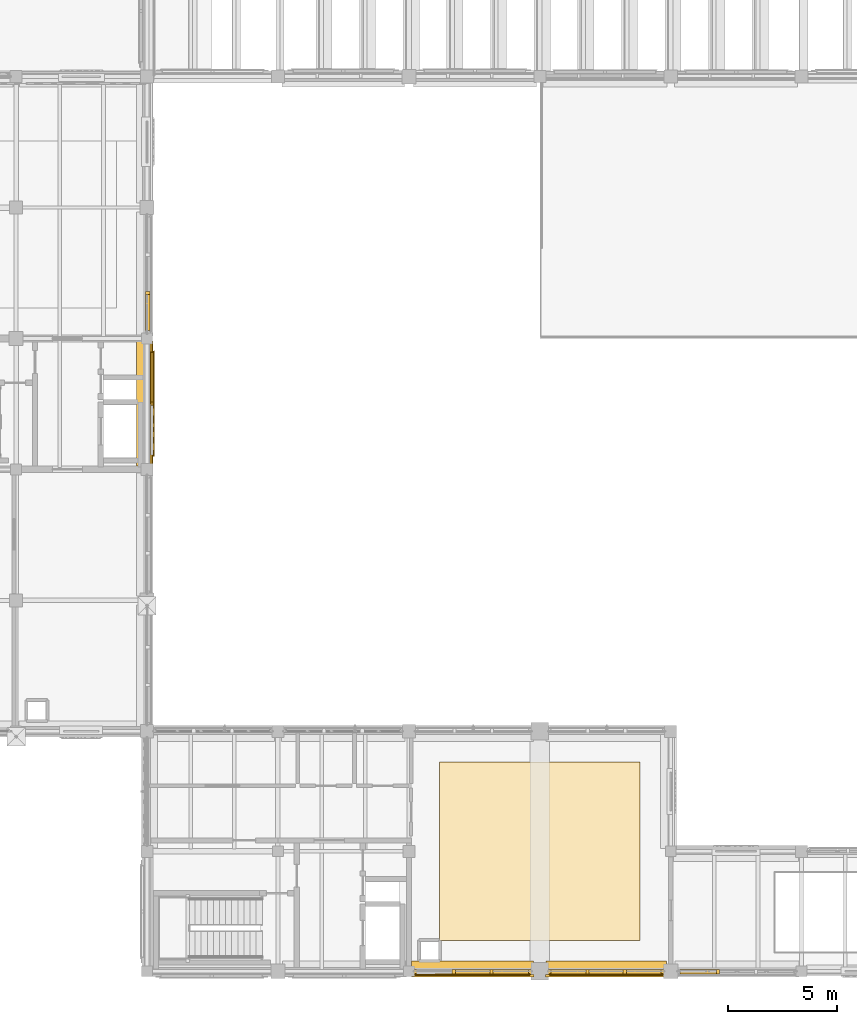
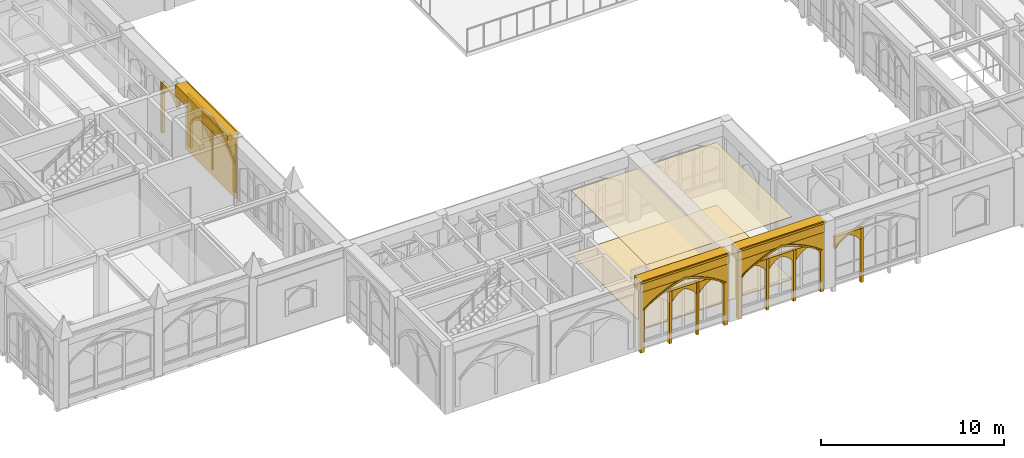
# One storey, part 92 of 127: 30 coverings.
"""IFC4 building model written with IfcOpenShell, lengths in metres."""

from ifc_helpers import new_model, si_unit, direction, frame, origin, origin_2d, place, context, subcontext, project, spatial, polyline, rectangle, outline, extrude, material, type_object, element, save


model = new_model("IFC4")

# Units and contexts
model_context = context("Model", 3, precision=1e-05, world=origin(), true_north=direction((0.0, 1.0)))
body_context = subcontext(model_context, "Body", "Model", "MODEL_VIEW")
ifc_project = project(units=[si_unit("LENGTHUNIT", "METRE"), si_unit("AREAUNIT", "SQUARE_METRE"), si_unit("VOLUMEUNIT", "CUBIC_METRE"), si_unit("PLANEANGLEUNIT", "RADIAN"), si_unit("MASSUNIT", "GRAM", prefix="KILO")], contexts=[model_context])

# Site, building, storey
site_placement = place(None, origin())
site = spatial("IfcSite", under=ifc_project, at=site_placement, CompositionType="ELEMENT")
building_placement = place(site_placement, origin())
building = spatial("IfcBuilding", under=site, at=building_placement, Name="Cumevento Cable Car Station", CompositionType="ELEMENT")
storey_placement = place(building_placement, frame((0.0, 0.0, 4.5)))
storey = spatial("IfcBuildingStorey", under=building, at=storey_placement, Name="L02", CompositionType="ELEMENT", Elevation=4.5)

# Coverings
ifc_material_1 = material(Name="Perforated Brazilian Ipe Timber Ceiling", Category="wood")
covering_type_1 = type_object("IfcCoveringType", Name="Acoustic Timber Ceiling CV-CE01", PredefinedType="CEILING", material=ifc_material_1)
covering_1_placement = place(storey_placement, frame((0.0, 0.0, 4.18798828125)))
element("IfcCovering", 1, at=covering_1_placement, inside=storey, type_object=covering_type_1, Name="Acoustic Timber Soffit Ceiling #3", PredefinedType="CEILING", context=body_context, shape_type="SweptSolid", body=[
    extrude(outline(polyline([(35.39990234375, 5.39990234375), (44.60009765625, 5.39990234375), (44.60009765625, 13.60009765625), (35.39990234375, 13.60009765625), (35.39990234375, 5.39990234375)])), origin(), (0.0, 0.0, 1.0), 0.028076171875),
])
ifc_material_2 = material(Name="Polished Carioca Granite Terrazzo Tile", Category="masonry")
covering_type_2 = type_object("IfcCoveringType", Name="Carioca Granite Flooring CV-FL01", PredefinedType="FLOORING", material=ifc_material_2)
covering_2_placement = place(storey_placement, origin())
element("IfcCovering", 2, at=covering_2_placement, inside=storey, type_object=covering_type_2, Name="Granite Terrazzo Floor Finish #3", PredefinedType="FLOORING", context=body_context, shape_type="SweptSolid", body=[
    extrude(outline(polyline([(35.39990234375, 5.39990234375), (44.60009765625, 5.39990234375), (44.60009765625, 13.60009765625), (35.39990234375, 13.60009765625), (35.39990234375, 5.39990234375)])), origin(), (0.0, 0.0, 1.0), 0.02197265625),
])
ifc_material_3 = material(Name="Gnaisse Facoidal Stone Ashlar 85 MPa", Category="masonry")
covering_type_3 = type_object("IfcCoveringType", Name="Gnaisse Ashlar Cladding CV-CL01", PredefinedType="CLADDING", material=ifc_material_3)
covering_3_placement = place(storey_placement, frame((36.925048828125, 4.14990234375, 3.7490234375), z_axis=(0.0, 0.0, 1.0), x_axis=(-1.0, 0.0, 0.0)))
element("IfcCovering", 3, at=covering_3_placement, inside=storey, type_object=covering_type_3, Name="Gothic Stone Spandrel Stringcourse sc:0292", PredefinedType="CLADDING", context=body_context, shape_type="SweptSolid", body=[
    extrude(rectangle(XDim=5.590087890625, YDim=0.659912109375, at=origin_2d()), origin(), (0.0, 0.0, 1.0), 0.7470703125),
])
covering_4_placement = place(storey_placement, frame((36.925048828125, 3.79248046875, 4.365966796875), z_axis=(0.0, 0.0, 1.0), x_axis=(-1.0, 0.0, 0.0)))
element("IfcCovering", 4, at=covering_4_placement, inside=storey, type_object=covering_type_3, Name="Gothic Cornice Dripstone Lip sc:0292", PredefinedType="CLADDING", context=body_context, shape_type="SweptSolid", body=[
    extrude(rectangle(XDim=5.6298828125, YDim=0.114990234375, at=origin_2d()), origin(), (0.0, 0.0, 1.0), 0.1298828125),
])
covering_5_placement = place(storey_placement, frame((43.03759765625, 4.14990234375, 3.7490234375), z_axis=(0.0, 0.0, 1.0), x_axis=(-1.0, 0.0, 0.0)))
element("IfcCovering", 5, at=covering_5_placement, inside=storey, type_object=covering_type_3, Name="Gothic Stone Spandrel Stringcourse sc:0293", PredefinedType="CLADDING", context=body_context, shape_type="SweptSolid", body=[
    extrude(rectangle(XDim=5.514892578125, YDim=0.659912109375, at=origin_2d()), origin(), (0.0, 0.0, 1.0), 0.7470703125),
])
covering_6_placement = place(storey_placement, frame((43.03759765625, 3.79248046875, 4.365966796875), z_axis=(0.0, 0.0, 1.0), x_axis=(-1.0, 0.0, 0.0)))
element("IfcCovering", 6, at=covering_6_placement, inside=storey, type_object=covering_type_3, Name="Gothic Cornice Dripstone Lip sc:0293", PredefinedType="CLADDING", context=body_context, shape_type="SweptSolid", body=[
    extrude(rectangle(XDim=5.554931640625, YDim=0.114990234375, at=origin_2d()), origin(), (0.0, 0.0, 1.0), 0.1298828125),
])
covering_7_placement = place(storey_placement, frame((21.85009765625, 30.012451171875, 3.718017578125), z_axis=(0.0, 0.0, 1.0), x_axis=(0.0, -1.0, 0.0)))
element("IfcCovering", 7, at=covering_7_placement, inside=storey, type_object=covering_type_3, Name="Gothic Stone Spandrel Stringcourse sc:0343", PredefinedType="CLADDING", context=body_context, shape_type="SweptSolid", body=[
    extrude(rectangle(XDim=5.715087890625, YDim=0.659912109375, at=origin_2d()), origin(), (0.0, 0.0, 1.0), 0.7470703125),
])
covering_8_placement = place(storey_placement, frame((22.20751953125, 30.012451171875, 4.3349609375), z_axis=(0.0, 0.0, 1.0), x_axis=(0.0, -1.0, 0.0)))
element("IfcCovering", 8, at=covering_8_placement, inside=storey, type_object=covering_type_3, Name="Gothic Cornice Dripstone Lip sc:0343", PredefinedType="CLADDING", context=body_context, shape_type="SweptSolid", body=[
    extrude(rectangle(XDim=5.7548828125, YDim=0.114990234375, at=origin_2d()), origin(), (0.0, 0.0, 1.0), 0.1298828125),
])
placement_1 = place(storey_placement, frame((39.60009765625, 4.0, -0.320068359375), z_axis=(0.0, 0.0, 1.0), x_axis=(-1.0, 0.0, 0.0)))
element("IfcCovering", 9, at=placement_1, inside=storey, type_object=covering_type_3, Name="Gothic Ogival Pointed-Arch Stone Spandrel cw_ogival:0020", PredefinedType="CLADDING", context=body_context, shape_type="SweptSolid", body=[
    extrude(outline(polyline([(-0.080078125, 0.0), (-0.080078125, 4.208984375), (5.429931640625, 4.208984375), (5.429931640625, 0.0), (5.18994140625, 0.0), (5.18994140625, 2.887451171875), (4.902099609375, 3.07958984375), (4.60498046875, 3.2578125), (4.2998046875, 3.42138671875), (3.98681640625, 3.570068359375), (3.667236328125, 3.703369140625), (3.341552734375, 3.8212890625), (3.010498046875, 3.923095703125), (2.675048828125, 4.009033203125), (2.339599609375, 3.923095703125), (2.008544921875, 3.8212890625), (1.682861328125, 3.703369140625), (1.36328125, 3.570068359375), (1.05029296875, 3.42138671875), (0.7451171875, 3.2578125), (0.447998046875, 3.07958984375), (0.159912109375, 2.887451171875), (0.159912109375, 0.0), (-0.080078125, 0.0)])), frame((0.0, 0.139892578125, 0.0), z_axis=(0.0, -1.0, 0.0), x_axis=(1.0, 0.0, 0.0)), (0.0, 0.0, 1.0), 0.219970703125),
])
covering_10_placement = place(storey_placement, frame((39.60009765625, 4.0, 2.5673828125), z_axis=(0.0, 0.0, 1.0), x_axis=(-1.0, 0.0, 0.0)))
element("IfcCovering", 10, at=covering_10_placement, inside=storey, type_object=covering_type_3, Name="Gothic Pointed Archivolt Hood Moulding cw_ogival:0020", PredefinedType="CLADDING", context=body_context, shape_type="SweptSolid", body=[
    extrude(outline(polyline([(0.159912109375, 0.0), (0.447998046875, 0.192138671875), (0.7451171875, 0.370361328125), (1.05029296875, 0.533935546875), (1.36328125, 0.6826171875), (1.682861328125, 0.81591796875), (2.008544921875, 0.933837890625), (2.339599609375, 1.03564453125), (2.675048828125, 1.12158203125), (3.010498046875, 1.03564453125), (3.341552734375, 0.933837890625), (3.667236328125, 0.81591796875), (3.98681640625, 0.6826171875), (4.2998046875, 0.533935546875), (4.60498046875, 0.370361328125), (4.902099609375, 0.192138671875), (5.18994140625, 0.0), (5.300048828125, 0.0), (5.00341796875, 0.215087890625), (4.696044921875, 0.41455078125), (4.37890625, 0.59814453125), (4.052490234375, 0.76513671875), (3.71826171875, 0.9150390625), (3.37646484375, 1.047607421875), (3.028564453125, 1.162353515625), (2.675048828125, 1.259033203125), (2.321533203125, 1.162353515625), (1.9736328125, 1.047607421875), (1.6318359375, 0.9150390625), (1.297607421875, 0.76513671875), (0.97119140625, 0.59814453125), (0.654052734375, 0.41455078125), (0.3466796875, 0.215087890625), (0.050048828125, 0.0), (0.159912109375, 0.0)])), frame((0.0, 0.181884765625, 0.0), z_axis=(0.0, -1.0, 0.0), x_axis=(1.0, 0.0, 0.0)), (0.0, 0.0, 1.0), 0.06689453125),
])
element("IfcCovering", 11, at=placement_1, inside=storey, type_object=covering_type_3, Name="Gothic Bifora Stone Colonnette cw_ogival:0020 #1", PredefinedType="CLADDING", context=body_context, shape_type="SweptSolid", body=[
    extrude(outline(polyline([(1.736572265625, -0.02001953125), (1.88671875, -0.02001953125), (1.88671875, 3.470703125), (1.736572265625, 3.470703125), (1.736572265625, -0.02001953125)])), frame((0.0, 0.1279296875, 0.0), z_axis=(0.0, -1.0, 0.0), x_axis=(1.0, 0.0, 0.0)), (0.0, 0.0, 1.0), 0.205078125),
])
element("IfcCovering", 12, at=placement_1, inside=storey, type_object=covering_type_3, Name="Gothic Bifora Stone Colonnette cw_ogival:0020 #2", PredefinedType="CLADDING", context=body_context, shape_type="SweptSolid", body=[
    extrude(outline(polyline([(3.46337890625, -0.02001953125), (3.61328125, -0.02001953125), (3.61328125, 3.470703125), (3.46337890625, 3.470703125), (3.46337890625, -0.02001953125)])), frame((0.0, 0.1279296875, 0.0), z_axis=(0.0, -1.0, 0.0), x_axis=(1.0, 0.0, 0.0)), (0.0, 0.0, 1.0), 0.205078125),
])
for number, where, z_axis, x_axis, name in (
    (13, (39.469970703125, 4.0, 2.387451171875), (0.0, 0.0, 1.0), (-1.0, 0.0, 0.0), "Gothic Ogival Pointed-Arch Stone Spandrel cw_ogival:0020:sub:0"),
    (14, (37.743408203125, 4.0, 2.387451171875), (0.0, 0.0, 1.0), (-1.0, 0.0, 0.0), "Gothic Ogival Pointed-Arch Stone Spandrel cw_ogival:0020:sub:1"),
):
    element("IfcCovering", number, at=place(storey_placement, frame(where, z_axis=z_axis, x_axis=x_axis)), inside=storey, type_object=covering_type_3, Name=name, PredefinedType="CLADDING", context=body_context, shape_type="SweptSolid", body=[
        extrude(outline(polyline([(-0.02001953125, 0.0), (-0.02001953125, 0.76318359375), (1.65673828125, 0.76318359375), (1.65673828125, 0.0), (1.5966796875, 0.0), (1.498046875, 0.1396484375), (1.385009765625, 0.26806640625), (1.259033203125, 0.384033203125), (1.12158203125, 0.48583984375), (0.97412109375, 0.572509765625), (0.818359375, 0.643310546875), (0.66259765625, 0.572509765625), (0.51513671875, 0.48583984375), (0.377685546875, 0.384033203125), (0.251708984375, 0.26806640625), (0.138671875, 0.1396484375), (0.0400390625, 0.0), (-0.02001953125, 0.0)])), frame((0.0, 0.1240234375, 0.0), z_axis=(0.0, -1.0, 0.0), x_axis=(1.0, 0.0, 0.0)), (0.0, 0.0, 1.0), 0.199951171875),
    ])
placement_2 = place(storey_placement, frame((45.675048828125, 4.0, -0.219970703125), z_axis=(0.0, 0.0, 1.0), x_axis=(-1.0, 0.0, 0.0)))
element("IfcCovering", 15, at=placement_2, inside=storey, type_object=covering_type_3, Name="Gothic Ogival Pointed-Arch Stone Spandrel cw_ogival:0022", PredefinedType="CLADDING", context=body_context, shape_type="SweptSolid", body=[
    extrude(outline(polyline([(-0.080078125, 0.0), (-0.080078125, 4.10888671875), (5.35498046875, 4.10888671875), (5.35498046875, 0.0), (5.114990234375, 0.0), (5.114990234375, 2.823486328125), (4.830322265625, 3.009765625), (4.537109375, 3.181884765625), (4.236083984375, 3.340087890625), (3.927978515625, 3.484375), (3.61328125, 3.61328125), (3.292724609375, 3.727294921875), (2.96728515625, 3.82568359375), (2.637451171875, 3.9091796875), (2.3076171875, 3.82568359375), (1.982177734375, 3.727294921875), (1.66162109375, 3.61328125), (1.346923828125, 3.484375), (1.038818359375, 3.340087890625), (0.73779296875, 3.181884765625), (0.444580078125, 3.009765625), (0.159912109375, 2.823486328125), (0.159912109375, 0.0), (-0.080078125, 0.0)])), frame((0.0, 0.139892578125, 0.0), z_axis=(0.0, -1.0, 0.0), x_axis=(1.0, 0.0, 0.0)), (0.0, 0.0, 1.0), 0.219970703125),
])
covering_14_placement = place(storey_placement, frame((45.675048828125, 4.0, 2.603515625), z_axis=(0.0, 0.0, 1.0), x_axis=(-1.0, 0.0, 0.0)))
element("IfcCovering", 16, at=covering_14_placement, inside=storey, type_object=covering_type_3, Name="Gothic Pointed Archivolt Hood Moulding cw_ogival:0022", PredefinedType="CLADDING", context=body_context, shape_type="SweptSolid", body=[
    extrude(outline(polyline([(0.159912109375, 0.0), (0.444580078125, 0.186279296875), (0.73779296875, 0.358642578125), (1.038818359375, 0.516845703125), (1.346923828125, 0.660888671875), (1.66162109375, 0.789794921875), (1.982177734375, 0.90380859375), (2.3076171875, 1.00244140625), (2.637451171875, 1.085693359375), (2.96728515625, 1.00244140625), (3.292724609375, 0.90380859375), (3.61328125, 0.789794921875), (3.927978515625, 0.660888671875), (4.236083984375, 0.516845703125), (4.537109375, 0.358642578125), (4.830322265625, 0.186279296875), (5.114990234375, 0.0), (5.22509765625, 0.0), (4.931640625, 0.208984375), (4.628173828125, 0.403076171875), (4.315185546875, 0.581298828125), (3.993408203125, 0.743408203125), (3.6640625, 0.888916015625), (3.32763671875, 1.017822265625), (2.985107421875, 1.129150390625), (2.637451171875, 1.22314453125), (2.289794921875, 1.129150390625), (1.947265625, 1.017822265625), (1.61083984375, 0.888916015625), (1.281494140625, 0.743408203125), (0.959716796875, 0.581298828125), (0.646728515625, 0.403076171875), (0.34326171875, 0.208984375), (0.050048828125, 0.0), (0.159912109375, 0.0)])), frame((0.0, 0.181884765625, 0.0), z_axis=(0.0, -1.0, 0.0), x_axis=(1.0, 0.0, 0.0)), (0.0, 0.0, 1.0), 0.06689453125),
])
element("IfcCovering", 17, at=placement_2, inside=storey, type_object=covering_type_3, Name="Gothic Bifora Stone Colonnette cw_ogival:0022 #1", PredefinedType="CLADDING", context=body_context, shape_type="SweptSolid", body=[
    extrude(outline(polyline([(1.711669921875, -0.02001953125), (1.861572265625, -0.02001953125), (1.861572265625, 3.387939453125), (1.711669921875, 3.387939453125), (1.711669921875, -0.02001953125)])), frame((0.0, 0.1279296875, 0.0), z_axis=(0.0, -1.0, 0.0), x_axis=(1.0, 0.0, 0.0)), (0.0, 0.0, 1.0), 0.205078125),
])
element("IfcCovering", 18, at=placement_2, inside=storey, type_object=covering_type_3, Name="Gothic Bifora Stone Colonnette cw_ogival:0022 #2", PredefinedType="CLADDING", context=body_context, shape_type="SweptSolid", body=[
    extrude(outline(polyline([(3.413330078125, -0.02001953125), (3.563232421875, -0.02001953125), (3.563232421875, 3.387939453125), (3.413330078125, 3.387939453125), (3.413330078125, -0.02001953125)])), frame((0.0, 0.1279296875, 0.0), z_axis=(0.0, -1.0, 0.0), x_axis=(1.0, 0.0, 0.0)), (0.0, 0.0, 1.0), 0.205078125),
])
for number, where, z_axis, x_axis, name in (
    (19, (45.544921875, 4.0, 2.42333984375), (0.0, 0.0, 1.0), (-1.0, 0.0, 0.0), "Gothic Ogival Pointed-Arch Stone Spandrel cw_ogival:0022:sub:0"),
    (20, (43.84326171875, 4.0, 2.42333984375), (0.0, 0.0, 1.0), (-1.0, 0.0, 0.0), "Gothic Ogival Pointed-Arch Stone Spandrel cw_ogival:0022:sub:1"),
    (21, (42.1416015625, 4.0, 2.42333984375), (0.0, 0.0, 1.0), (-1.0, 0.0, 0.0), "Gothic Ogival Pointed-Arch Stone Spandrel cw_ogival:0022:sub:2"),
):
    element("IfcCovering", number, at=place(storey_placement, frame(where, z_axis=z_axis, x_axis=x_axis)), inside=storey, type_object=covering_type_3, Name=name, PredefinedType="CLADDING", context=body_context, shape_type="SweptSolid", body=[
        extrude(outline(polyline([(-0.02001953125, 0.0), (-0.02001953125, 0.744384765625), (1.631591796875, 0.744384765625), (1.631591796875, 0.0), (1.57177734375, 0.0), (1.4736328125, 0.1357421875), (1.362060546875, 0.260498046875), (1.23828125, 0.373046875), (1.10302734375, 0.471923828125), (0.95849609375, 0.555908203125), (0.805908203125, 0.62451171875), (0.653076171875, 0.555908203125), (0.508544921875, 0.471923828125), (0.373291015625, 0.373046875), (0.24951171875, 0.260498046875), (0.137939453125, 0.1357421875), (0.0400390625, 0.0), (-0.02001953125, 0.0)])), frame((0.0, 0.1240234375, 0.0), z_axis=(0.0, -1.0, 0.0), x_axis=(1.0, 0.0, 0.0)), (0.0, 0.0, 1.0), 0.199951171875),
    ])
covering_17_placement = place(storey_placement, frame((51.75, 4.0, -0.469970703125), z_axis=(0.0, 0.0, 1.0), x_axis=(-1.0, 0.0, 0.0)))
element("IfcCovering", 22, at=covering_17_placement, inside=storey, type_object=covering_type_3, Name="Gothic Bifora Stone Colonnette cw_ogival:0025 #2", PredefinedType="CLADDING", context=body_context, shape_type="SweptSolid", body=[
    extrude(outline(polyline([(3.513427734375, -0.02001953125), (3.663330078125, -0.02001953125), (3.663330078125, 3.5947265625), (3.513427734375, 3.5947265625), (3.513427734375, -0.02001953125)])), frame((0.0, 0.1279296875, 0.0), z_axis=(0.0, -1.0, 0.0), x_axis=(1.0, 0.0, 0.0)), (0.0, 0.0, 1.0), 0.205078125),
])
covering_18_placement = place(storey_placement, frame((48.11669921875, 4.0, 2.33349609375), z_axis=(0.0, 0.0, 1.0), x_axis=(-1.0, 0.0, 0.0)))
element("IfcCovering", 23, at=covering_18_placement, inside=storey, type_object=covering_type_3, Name="Gothic Ogival Pointed-Arch Stone Spandrel cw_ogival:0025:sub:2", PredefinedType="CLADDING", context=body_context, shape_type="SweptSolid", body=[
    extrude(outline(polyline([(-0.02001953125, 0.0), (-0.02001953125, 0.791259765625), (1.681640625, 0.791259765625), (1.681640625, 0.0), (1.62158203125, 0.0), (1.522705078125, 0.1455078125), (1.40869140625, 0.279296875), (1.281005859375, 0.400146484375), (1.14111328125, 0.506591796875), (0.990234375, 0.597412109375), (0.830810546875, 0.67138671875), (0.67138671875, 0.597412109375), (0.5205078125, 0.506591796875), (0.380615234375, 0.400146484375), (0.2529296875, 0.279296875), (0.138916015625, 0.1455078125), (0.0400390625, 0.0), (-0.02001953125, 0.0)])), frame((0.0, 0.1240234375, 0.0), z_axis=(0.0, -1.0, 0.0), x_axis=(1.0, 0.0, 0.0)), (0.0, 0.0, 1.0), 0.199951171875),
])
covering_19_placement = place(storey_placement, frame((22.0, 38.675048828125, -0.219970703125), z_axis=(0.0, 0.0, 1.0), x_axis=(0.0, -1.0, 0.0)))
element("IfcCovering", 24, at=covering_19_placement, inside=storey, type_object=covering_type_3, Name="Gothic Bifora Stone Colonnette cw_ogival:0054 #2", PredefinedType="CLADDING", context=body_context, shape_type="SweptSolid", body=[
    extrude(outline(polyline([(3.513427734375, -0.02001953125), (3.663330078125, -0.02001953125), (3.663330078125, 3.3623046875), (3.513427734375, 3.3623046875), (3.513427734375, -0.02001953125)])), frame((0.0, 0.1279296875, 0.0), z_axis=(0.0, -1.0, 0.0), x_axis=(1.0, 0.0, 0.0)), (0.0, 0.0, 1.0), 0.205078125),
])
covering_20_placement = place(storey_placement, frame((22.0, 35.041748046875, 2.403564453125), z_axis=(0.0, 0.0, 1.0), x_axis=(0.0, -1.0, 0.0)))
element("IfcCovering", 25, at=covering_20_placement, inside=storey, type_object=covering_type_3, Name="Gothic Ogival Pointed-Arch Stone Spandrel cw_ogival:0054:sub:2", PredefinedType="CLADDING", context=body_context, shape_type="SweptSolid", body=[
    extrude(outline(polyline([(-0.02001953125, 0.0), (-0.02001953125, 0.73876953125), (1.681640625, 0.73876953125), (1.681640625, 0.0), (1.62158203125, 0.0), (1.5185546875, 0.135009765625), (1.402099609375, 0.2587890625), (1.27392578125, 0.3701171875), (1.134765625, 0.468017578125), (0.986572265625, 0.551025390625), (0.830810546875, 0.61865234375), (0.675048828125, 0.551025390625), (0.52685546875, 0.468017578125), (0.3876953125, 0.3701171875), (0.259521484375, 0.2587890625), (0.14306640625, 0.135009765625), (0.0400390625, 0.0), (-0.02001953125, 0.0)])), frame((0.0, 0.1240234375, 0.0), z_axis=(0.0, -1.0, 0.0), x_axis=(1.0, 0.0, 0.0)), (0.0, 0.0, 1.0), 0.199951171875),
])
covering_21_placement = place(storey_placement, frame((22.0, 32.75, 0.0), z_axis=(0.0, 0.0, 1.0), x_axis=(0.0, -1.0, 0.0)))
element("IfcCovering", 26, at=covering_21_placement, inside=storey, type_object=covering_type_3, Name="Exterior Gnaisse Stone Wall Ashlar #192", PredefinedType="CLADDING", context=body_context, shape_type="SweptSolid", body=[
    extrude(outline(polyline([(-0.0400390625, -0.02001953125), (5.514892578125, -0.02001953125), (5.514892578125, 3.798095703125), (-0.0400390625, 3.798095703125), (-0.0400390625, -0.02001953125)])), frame((0.0, 0.222412109375, 0.0), z_axis=(0.0, -1.0, 0.0), x_axis=(1.0, 0.0, 0.0)), (0.0, 0.0, 1.0), 0.0849609375),
])
placement_3 = place(storey_placement, frame((22.0, 32.570068359375, 0.300048828125), z_axis=(0.0, 0.0, 1.0), x_axis=(0.0, -1.0, 0.0)))
element("IfcCovering", 27, at=placement_3, inside=storey, type_object=covering_type_3, Name="Gothic Ogival Pointed-Arch Stone Spandrel blind_ogival:0192", PredefinedType="CLADDING", context=body_context, shape_type="SweptSolid", body=[
    extrude(outline(polyline([(-0.050048828125, 0.0), (-0.050048828125, 3.51806640625), (5.1650390625, 3.51806640625), (5.1650390625, 0.0), (4.85498046875, 0.0), (4.85498046875, 1.815673828125), (4.579345703125, 2.098876953125), (4.283447265625, 2.3603515625), (3.968505859375, 2.598876953125), (3.636474609375, 2.81298828125), (3.289306640625, 3.001708984375), (2.928955078125, 3.16357421875), (2.5576171875, 3.298095703125), (2.18603515625, 3.16357421875), (1.82568359375, 3.001708984375), (1.478515625, 2.81298828125), (1.146484375, 2.598876953125), (0.83154296875, 2.3603515625), (0.53564453125, 2.098876953125), (0.260009765625, 1.815673828125), (0.260009765625, 0.0), (-0.050048828125, 0.0)])), frame((0.0, 0.277587890625, 0.0), z_axis=(0.0, -1.0, 0.0), x_axis=(1.0, 0.0, 0.0)), (0.0, 0.0, 1.0), 0.110107421875),
])
covering_23_placement = place(storey_placement, frame((22.0, 32.570068359375, 2.11572265625), z_axis=(0.0, 0.0, 1.0), x_axis=(0.0, -1.0, 0.0)))
element("IfcCovering", 28, at=covering_23_placement, inside=storey, type_object=covering_type_3, Name="Gothic Pointed Archivolt Hood Moulding blind_ogival:0192", PredefinedType="CLADDING", context=body_context, shape_type="SweptSolid", body=[
    extrude(outline(polyline([(0.260009765625, 0.0), (0.53564453125, 0.283203125), (0.83154296875, 0.544677734375), (1.146484375, 0.783203125), (1.478515625, 0.997314453125), (1.82568359375, 1.18603515625), (2.18603515625, 1.347900390625), (2.5576171875, 1.482421875), (2.928955078125, 1.347900390625), (3.289306640625, 1.18603515625), (3.636474609375, 0.997314453125), (3.968505859375, 0.783203125), (4.283447265625, 0.544677734375), (4.579345703125, 0.283203125), (4.85498046875, 0.0), (4.97607421875, 0.0), (4.690673828125, 0.31103515625), (4.3818359375, 0.5986328125), (4.051513671875, 0.861572265625), (3.701904296875, 1.09765625), (3.334716796875, 1.305908203125), (2.95263671875, 1.48486328125), (2.5576171875, 1.633544921875), (2.162353515625, 1.48486328125), (1.7802734375, 1.305908203125), (1.4130859375, 1.09765625), (1.0634765625, 0.861572265625), (0.733154296875, 0.5986328125), (0.42431640625, 0.31103515625), (0.138916015625, 0.0), (0.260009765625, 0.0)])), frame((0.0, 0.319580078125, 0.0), z_axis=(0.0, -1.0, 0.0), x_axis=(1.0, 0.0, 0.0)), (0.0, 0.0, 1.0), 0.06689453125),
])
element("IfcCovering", 29, at=placement_3, inside=storey, type_object=covering_type_3, Name="Gothic Bifora Stone Colonnette blind_ogival:0192 #1", PredefinedType="CLADDING", context=body_context, shape_type="SweptSolid", body=[
    extrude(outline(polyline([(2.482421875, -0.02001953125), (2.632568359375, -0.02001953125), (2.632568359375, 2.58642578125), (2.482421875, 2.58642578125), (2.482421875, -0.02001953125)])), frame((0.0, 0.265380859375, 0.0), z_axis=(0.0, -1.0, 0.0), x_axis=(1.0, 0.0, 0.0)), (0.0, 0.0, 1.0), 0.094970703125),
])
covering_25_placement = place(storey_placement, frame((22.0, 32.340087890625, 1.935791015625), z_axis=(0.0, 0.0, 1.0), x_axis=(0.0, -1.0, 0.0)))
element("IfcCovering", 30, at=covering_25_placement, inside=storey, type_object=covering_type_3, Name="Gothic Ogival Pointed-Arch Stone Spandrel blind_ogival:0192:sub:0", PredefinedType="CLADDING", context=body_context, shape_type="SweptSolid", body=[
    extrude(outline(polyline([(-0.02001953125, 0.0), (-0.02001953125, 0.95068359375), (2.302490234375, 0.95068359375), (2.302490234375, 0.0), (2.242431640625, 0.0), (2.096435546875, 0.181884765625), (1.93310546875, 0.348388671875), (1.754150390625, 0.497802734375), (1.56103515625, 0.62890625), (1.356201171875, 0.740234375), (1.141357421875, 0.830810546875), (0.92626953125, 0.740234375), (0.721435546875, 0.62890625), (0.5283203125, 0.497802734375), (0.349365234375, 0.348388671875), (0.18603515625, 0.181884765625), (0.0400390625, 0.0), (-0.02001953125, 0.0)])), frame((0.0, 0.261474609375, 0.0), z_axis=(0.0, -1.0, 0.0), x_axis=(1.0, 0.0, 0.0)), (0.0, 0.0, 1.0), 0.090087890625),
])

save(model, "model.ifc")
